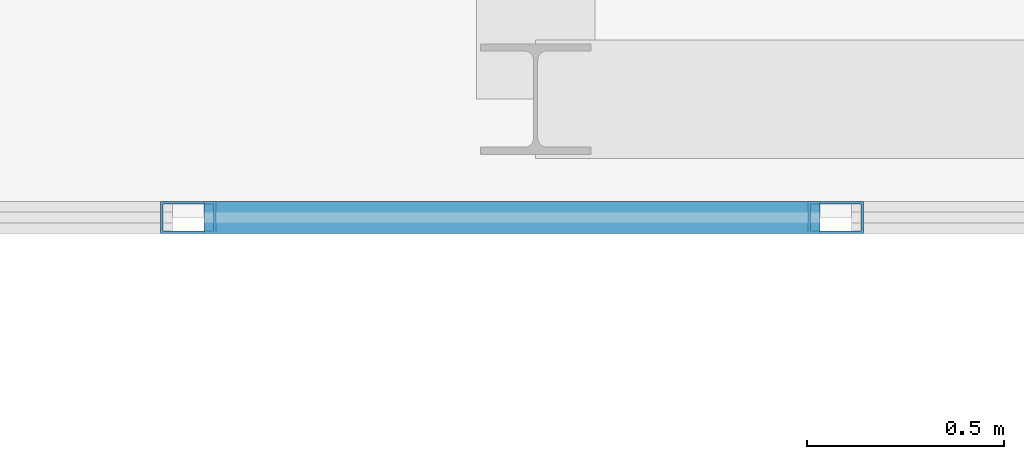
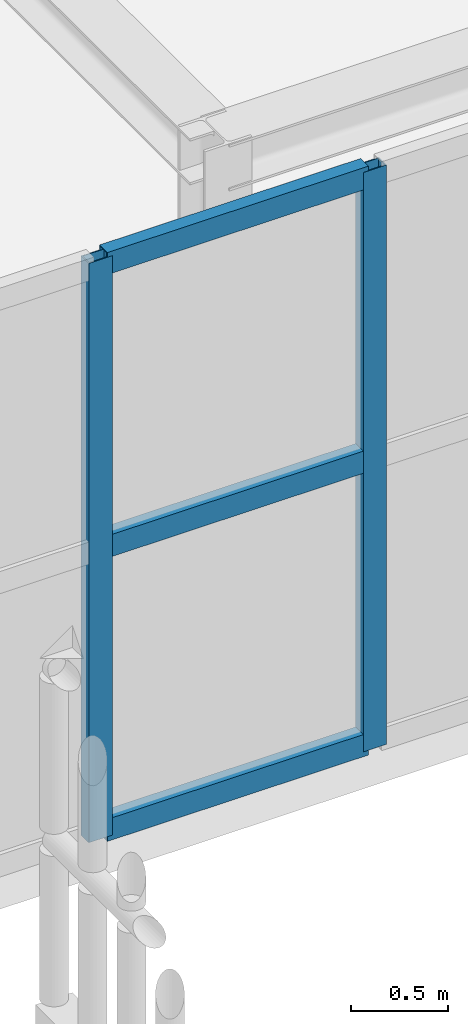
# One storey, part 59 of 217: 5 members, 1 element without a shape of its own.
"""IFC4 building model written with IfcOpenShell, lengths in metres."""

from ifc_helpers import new_model, si_unit, direction, frame, origin, origin_2d, place, context, subcontext, project, spatial, hollow_rectangle, extrude, material, layer, layer_set, material_profile, profile_set, type_object, element, aggregate, save


model = new_model("IFC4")

# Units and contexts
model_context = context("Model", 3, precision=1e-05, world=origin(), true_north=direction((0.0, 1.0)))
body_context = subcontext(model_context, "Body", "Model", "MODEL_VIEW")
ifc_project = project(units=[si_unit("LENGTHUNIT", "METRE"), si_unit("AREAUNIT", "SQUARE_METRE"), si_unit("VOLUMEUNIT", "CUBIC_METRE"), si_unit("PLANEANGLEUNIT", "RADIAN"), si_unit("MASSUNIT", "GRAM", prefix="KILO")], contexts=[model_context])

# Site, building, storey
site_placement = place(None, origin())
site = spatial("IfcSite", under=ifc_project, at=site_placement, CompositionType="ELEMENT")
building_placement = place(site_placement, origin())
building = spatial("IfcBuilding", under=site, at=building_placement, Name="Mazaris Harbour Polytechnic", CompositionType="ELEMENT")
storey_placement = place(building_placement, frame((0.0, 0.0, 9.60009765625)))
storey = spatial("IfcBuildingStorey", under=building, at=storey_placement, Name="L02", CompositionType="ELEMENT", Elevation=9.60009765625)

# Curtain wall, members
ifc_material_1 = material(Name="Anodised Bronze Aluminium and Low-E Glass", Category="aluminium")
ifc_layer = layer(ifc_material_1, 0.139892578125, Name="Anodised Bronze Aluminium and Low-E Glass")
ifc_layer_set = layer_set([ifc_layer], Name="Anodised Bronze Aluminium and Low-E Glass")
curtain_wall_type = type_object("IfcCurtainWallType", Name="Seismic Link Bridge Glazing", PredefinedType="NOTDEFINED", material=ifc_layer_set)
curtain_wall_placement = place(storey_placement, origin())
curtain_wall = element("IfcCurtainWall", 1, at=curtain_wall_placement, inside=storey, type_object=curtain_wall_type, Name="PB-W2 L02 Bridge Glazing", PredefinedType="NOTDEFINED")
ifc_material_2 = material(Name="Anodised Bronze Steel S355", Category="steel")
ifc_material_profile_1 = material_profile(ifc_material_2, hollow_rectangle(XDim=0.080078125, YDim=0.139892578125, WallThickness=0.00634765625, at=origin_2d()), Name="RHS 80x140x6.3")
ifc_profile_set_1 = profile_set([ifc_material_profile_1], Name="Anodised Bronze Steel S355")
member_type_1 = type_object("IfcMemberType", Name="Curtain Mullion RHS80x140", PredefinedType="MULLION", material=ifc_profile_set_1)
member_1_placement = place(storey_placement, frame((45.320068359375, 75.60009765625, 0.0), z_axis=(0.0, 0.0, 1.0), x_axis=(0.0, 1.0, 0.0)))
member_1 = element("IfcMember", 2, at=member_1_placement, type_object=member_type_1, Name="CW-05 mullion 2", PredefinedType="MULLION", context=body_context, shape_type="SweptSolid", body=[
    extrude(hollow_rectangle(XDim=0.080078125, YDim=0.139892578125, WallThickness=0.00634765625, at=origin_2d()), origin(), (0.0, 0.0, 1.0), 3.659912109375),
])
member_2_placement = place(storey_placement, frame((46.9599609375, 75.60009765625, 0.0), z_axis=(0.0, 0.0, 1.0), x_axis=(0.0, 1.0, 0.0)))
member_2 = element("IfcMember", 3, at=member_2_placement, type_object=member_type_1, Name="CW-05 mullion 3", PredefinedType="MULLION", context=body_context, shape_type="SweptSolid", body=[
    extrude(hollow_rectangle(XDim=0.080078125, YDim=0.139892578125, WallThickness=0.00634765625, at=origin_2d()), origin(), (0.0, 0.0, 1.0), 3.659912109375),
])
ifc_material_3 = material(Name="Anodised Bronze Steel S355", Category="steel")
ifc_material_profile_2 = material_profile(ifc_material_3, hollow_rectangle(XDim=0.080078125, YDim=0.139892578125, WallThickness=0.00634765625, at=origin_2d()), Name="RHS 80x140x6.3")
ifc_profile_set_2 = profile_set([ifc_material_profile_2], Name="Anodised Bronze Steel S355")
member_type_2 = type_object("IfcMemberType", Name="Curtain Transom RHS80x140", PredefinedType="USERDEFINED", material=ifc_profile_set_2)
member_3_placement = place(storey_placement, frame((45.360107421875, 75.60009765625, 0.039794921875), z_axis=(1.0, 0.0, 0.0), x_axis=(0.0, 1.0, 0.0)))
member_3 = element("IfcMember", 4, at=member_3_placement, type_object=member_type_2, Name="CW-05 transom 2.1", ObjectType="TRANSOM", PredefinedType="USERDEFINED", context=body_context, shape_type="SweptSolid", body=[
    extrude(hollow_rectangle(XDim=0.080078125, YDim=0.139892578125, WallThickness=0.00634765625, at=origin_2d()), origin(), (0.0, 0.0, 1.0), 1.559814453125),
])
member_4_placement = place(storey_placement, frame((45.360107421875, 75.60009765625, 1.829833984375), z_axis=(1.0, 0.0, 0.0), x_axis=(0.0, 1.0, 0.0)))
member_4 = element("IfcMember", 5, at=member_4_placement, type_object=member_type_2, Name="CW-05 transom 2.2", ObjectType="TRANSOM", PredefinedType="USERDEFINED", context=body_context, shape_type="SweptSolid", body=[
    extrude(hollow_rectangle(XDim=0.080078125, YDim=0.139892578125, WallThickness=0.00634765625, at=origin_2d()), origin(), (0.0, 0.0, 1.0), 1.559814453125),
])
member_5_placement = place(storey_placement, frame((45.360107421875, 75.60009765625, 3.619873046875), z_axis=(1.0, 0.0, 0.0), x_axis=(0.0, 1.0, 0.0)))
member_5 = element("IfcMember", 6, at=member_5_placement, type_object=member_type_2, Name="CW-05 transom 2.3", ObjectType="TRANSOM", PredefinedType="USERDEFINED", context=body_context, shape_type="SweptSolid", body=[
    extrude(hollow_rectangle(XDim=0.080078125, YDim=0.139892578125, WallThickness=0.00634765625, at=origin_2d()), origin(), (0.0, 0.0, 1.0), 1.559814453125),
])
aggregate(curtain_wall, [member_1, member_2, member_3, member_4, member_5])

save(model, "model.ifc")
